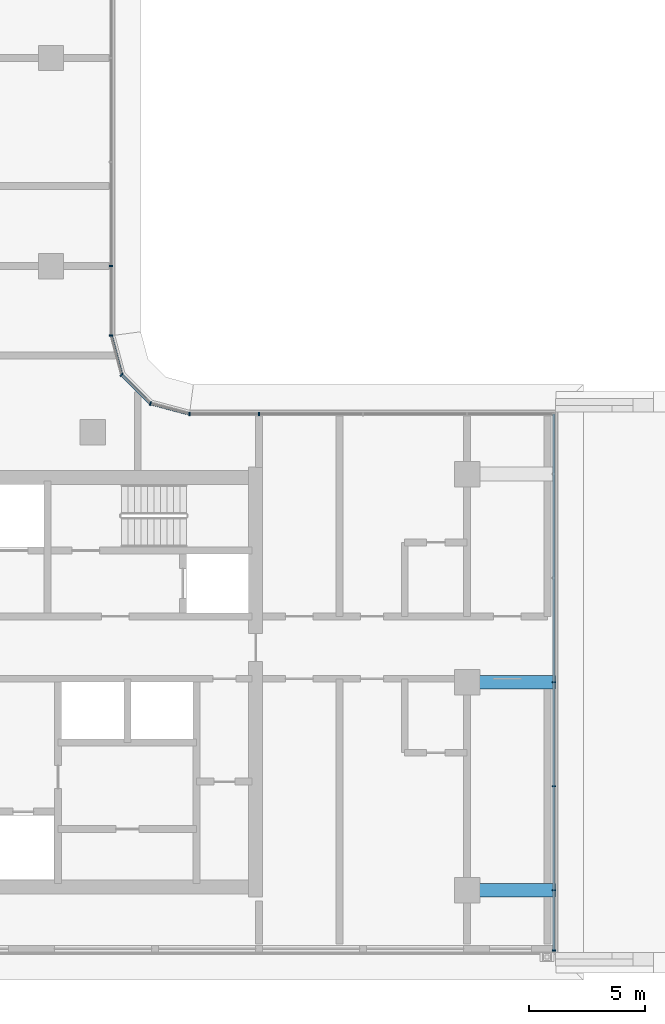
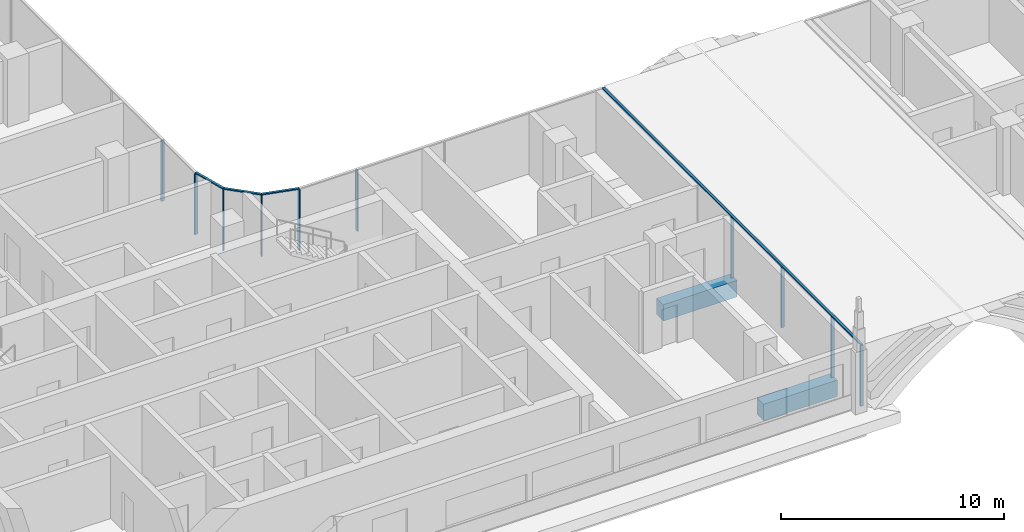
# One storey, part 2 of 23: 14 members, 2 beams, 4 elements without a shape of their own.
"""IFC4 building model written with IfcOpenShell, lengths in metres."""

import ifcopenshell
import ifcopenshell.guid

model = None  # the IFC model being written
_history = None  # IfcOwnerHistory: only IFC2X3 demands one
_inside = {}  # id of a spatial element -> (the spatial element, [elements in it])
_under = {}  # id of a project, library or spatial element -> (it, [spatial elements below it])
_declared = {}  # id of a project -> (the project, [libraries it declares])
_typed = {}  # id of a type object -> (the type object, [elements of that type])
_made_of = {}  # id of a material, layer set ... -> (it, [elements and type objects made of it])


def new_model(schema):
    """Start an empty IFC model of exactly this schema.

    Asked for "IFC4X3", IfcOpenShell would pick the latest addendum, in which some entities
    have other attributes; the version numbers below select the first issue.
    IFC2X3 requires an IfcOwnerHistory on every rooted entity: one is made here for all.
    """
    global model, _history
    if schema == "IFC4X3":
        model = ifcopenshell.file(schema_version=(4, 3, 0, 0))
    else:
        model = ifcopenshell.file(schema=schema)
    _inside.clear()
    _under.clear()
    _declared.clear()
    _typed.clear()
    _made_of.clear()
    _history = None
    if model.schema == "IFC2X3":
        org = make("IfcOrganization", Name="unknown")
        user = make(
            "IfcPersonAndOrganization",
            ThePerson=make("IfcPerson", FamilyName="unknown"),
            TheOrganization=org,
        )
        app = make(
            "IfcApplication",
            ApplicationDeveloper=org,
            Version="unknown",
            ApplicationFullName="unknown",
            ApplicationIdentifier="unknown",
        )
        _history = make(
            "IfcOwnerHistory",
            OwningUser=user,
            OwningApplication=app,
            ChangeAction="ADDED",
            CreationDate=0,
        )
    return model


def make(cls, **values):
    """One entity of the class cls with the attributes given. An attribute that is None is left unset."""
    return model.create_entity(
        cls, **{name: value for name, value in values.items() if value is not None}
    )


def rooted(cls, **values):
    """An entity with a GlobalId (a new one), such as an element, a storey or a relation."""
    return make(cls, GlobalId=ifcopenshell.guid.new(), OwnerHistory=_history, **values)


def si_unit(unit_type, name, prefix=None):
    """IfcSIUnit, for example si_unit("LENGTHUNIT", "METRE", prefix="MILLI")."""
    return make("IfcSIUnit", UnitType=unit_type, Prefix=prefix, Name=name)


def assignment(units):
    """IfcUnitAssignment: the units of a project."""
    return None if units is None else make("IfcUnitAssignment", Units=units)


def point(xyz):
    """IfcCartesianPoint."""
    return None if xyz is None else make("IfcCartesianPoint", Coordinates=xyz)


def direction(xyz):
    """IfcDirection."""
    return None if xyz is None else make("IfcDirection", DirectionRatios=xyz)


def frame(location, z_axis=None, x_axis=None):
    """IfcAxis2Placement3D, a coordinate frame: its origin and axes. An axis left out is left unset."""
    return make(
        "IfcAxis2Placement3D",
        Location=point(location),
        Axis=direction(z_axis),
        RefDirection=direction(x_axis),
    )


def frame_2d(location, x_axis=None):
    """IfcAxis2Placement2D, a coordinate frame in the plane: its origin and x axis."""
    return make(
        "IfcAxis2Placement2D", Location=point(location), RefDirection=direction(x_axis)
    )


def origin():
    """The frame at (0, 0, 0) with its axes left unset."""
    return frame((0.0, 0.0, 0.0))


def origin_2d():
    """The frame at (0, 0) in the plane with its x axis left unset."""
    return frame_2d((0.0, 0.0))


def place(relative_to, where):
    """IfcLocalPlacement: puts the frame where relative to a parent placement (None: the world)."""
    return make(
        "IfcLocalPlacement", PlacementRelTo=relative_to, RelativePlacement=where
    )


def context(
    kind, dimensions, precision=None, world=None, true_north=None, identifier=None
):
    """IfcGeometricRepresentationContext, for example the 3D "Model" context."""
    return make(
        "IfcGeometricRepresentationContext",
        ContextIdentifier=identifier,
        ContextType=kind,
        CoordinateSpaceDimension=dimensions,
        Precision=precision,
        WorldCoordinateSystem=world,
        TrueNorth=true_north,
    )


def subcontext(parent, identifier, kind, view, scale=None):
    """IfcGeometricRepresentationSubContext, for example "Body" below "Model"."""
    return make(
        "IfcGeometricRepresentationSubContext",
        ContextIdentifier=identifier,
        ContextType=kind,
        ParentContext=parent,
        TargetScale=scale,
        TargetView=view,
    )


def project(units=None, contexts=None):
    """IfcProject with its units and contexts."""
    return rooted(
        "IfcProject",
        Name="project",
        RepresentationContexts=contexts,
        UnitsInContext=assignment(units),
    )


def spatial(cls, under=None, at=None, **own):
    """A site, building, storey or space (cls), placed at a placement, below another one or the project."""
    s = rooted(cls, ObjectPlacement=at, **own)
    if under is not None:
        _under.setdefault(under.id(), (under, []))[1].append(s)
    return s


def profile(cls, at=None, kind="AREA", **sizes):
    """A parametric profile (cls). Its sizes go by their IFC names, for example OverallWidth=200.0."""
    return make(cls, ProfileType=kind, Position=at, **sizes)


def rectangle(**sizes):
    """IfcRectangleProfileDef."""
    return profile("IfcRectangleProfileDef", **sizes)


def extrude(swept, where, along, depth):
    """IfcExtrudedAreaSolid: the profile swept, set in the frame where, extruded along a direction by depth."""
    return make(
        "IfcExtrudedAreaSolid",
        SweptArea=swept,
        Position=where,
        ExtrudedDirection=direction(along),
        Depth=depth,
    )


def shape(context_of_items, identifier, shape_type, items):
    """IfcShapeRepresentation: the items that make up one representation, for example the "Body"."""
    return make(
        "IfcShapeRepresentation",
        ContextOfItems=context_of_items,
        RepresentationIdentifier=identifier,
        RepresentationType=shape_type,
        Items=items,
    )


def material(Name=None, Category=None):
    """IfcMaterial."""
    return make("IfcMaterial", Name=Name, Category=Category)


def material_profile(
    of_material, cross_section, Name=None, Category=None, Priority=None
):
    """IfcMaterialProfile: a cross section and its material."""
    return make(
        "IfcMaterialProfile",
        Name=Name,
        Material=of_material,
        Profile=cross_section,
        Priority=Priority,
        Category=Category,
    )


def profile_set(profiles, Name=None, composite=None):
    """IfcMaterialProfileSet."""
    return make(
        "IfcMaterialProfileSet",
        Name=Name,
        MaterialProfiles=profiles,
        CompositeProfile=composite,
    )


def made_of(thing, what):
    """Note that an element or type object is made of a material, layer set ...; save() writes the relation."""
    if what is not None:
        _made_of.setdefault(what.id(), (what, []))[1].append(thing)
    return thing


def type_object(cls, material=None, **own):
    """A type object (cls), such as IfcWallType, which elements share."""
    return made_of(rooted(cls, **own), material)


def element(
    cls,
    number,
    at=None,
    inside=None,
    cuts=None,
    type_object=None,
    material=None,
    context=None,
    identifier="Body",
    shape_type=None,
    held_by="IfcProductDefinitionShape",
    body=None,
    shapes=None,
    **own,
):
    """One element of the class cls, such as IfcWall. Its Tag is "e" and its number.

    at: its placement. inside: the storey or other place that contains it. cuts: it is an
    opening in that element (IfcRelVoidsElement). A single representation is given by context,
    identifier, shape_type and body (its items); several are given by shapes. held_by: the class
    of the entity that holds the representations. save() writes the other relations.
    """
    e = rooted(cls, Tag="e%d" % number, ObjectPlacement=at, **own)
    if body is not None:
        shapes = [shape(context, identifier, shape_type, body)]
    if shapes is not None:
        e.Representation = make(held_by, Representations=shapes)
    if inside is not None:
        _inside.setdefault(inside.id(), (inside, []))[1].append(e)
    if cuts is not None:
        rooted(
            "IfcRelVoidsElement", RelatingBuildingElement=cuts, RelatedOpeningElement=e
        )
    if type_object is not None:
        _typed.setdefault(type_object.id(), (type_object, []))[1].append(e)
    return made_of(e, material)


def aggregate(whole, parts):
    """IfcRelAggregates: a whole, such as a stair, and the parts it consists of."""
    return rooted("IfcRelAggregates", RelatingObject=whole, RelatedObjects=parts)


def save(model, path):
    """Write the relations noted so far, then the file.

    IfcRelAggregates (storeys below a building ...), IfcRelContainedInSpatialStructure (elements
    in a storey), IfcRelDefinesByType, IfcRelAssociatesMaterial and IfcRelDeclares: one each for
    every whole, place, type object, material and project.
    """
    for whole, parts in _under.values():
        aggregate(whole, parts)
    for where, things in _inside.values():
        rooted(
            "IfcRelContainedInSpatialStructure",
            RelatedElements=things,
            RelatingStructure=where,
        )
    for kind, things in _typed.values():
        rooted("IfcRelDefinesByType", RelatedObjects=things, RelatingType=kind)
    for what, things in _made_of.values():
        rooted("IfcRelAssociatesMaterial", RelatedObjects=things, RelatingMaterial=what)
    for by, libraries in _declared.values():
        rooted("IfcRelDeclares", RelatingContext=by, RelatedDefinitions=libraries)
    model.write(path)


model = new_model("IFC4")

# Units and contexts
model_context = context("Model", 3, precision=1e-05, world=origin(), true_north=direction((0.0, 1.0)))
body_context = subcontext(model_context, "Body", "Model", "MODEL_VIEW")
ifc_project = project(units=[si_unit("LENGTHUNIT", "METRE"), si_unit("AREAUNIT", "SQUARE_METRE"), si_unit("VOLUMEUNIT", "CUBIC_METRE"), si_unit("PLANEANGLEUNIT", "RADIAN"), si_unit("MASSUNIT", "GRAM", prefix="KILO")], contexts=[model_context])

# Site, building, storey
site_placement = place(None, origin())
site = spatial("IfcSite", under=ifc_project, at=site_placement, CompositionType="ELEMENT")
building_placement = place(site_placement, origin())
building = spatial("IfcBuilding", under=site, at=building_placement, Name="Ogive Portal Towers", CompositionType="ELEMENT")
storey_placement = place(building_placement, frame((0.0, 0.0, 179.199951171875)))
storey = spatial("IfcBuildingStorey", under=building, at=storey_placement, Name="L44", CompositionType="ELEMENT", Elevation=179.199951171875)

# Beams
ifc_material_1 = material(Name="Concrete C50/60", Category="concrete")
ifc_material_profile_1 = material_profile(ifc_material_1, rectangle(XDim=0.60009765625, YDim=0.89990234375, at=origin_2d()), Name="RC 600x900")
ifc_profile_set_1 = profile_set([ifc_material_profile_1], Name="Concrete C50/60")
beam_type = type_object("IfcBeamType", Name="BEAM RC 600x900", PredefinedType="BEAM", material=ifc_profile_set_1)
for number, where, z_axis, x_axis, name in (
    (1, (67.5, 21.5, -0.449951171875), (1.0, 0.0, 0.0), (0.0, 1.0, 0.0), "Portal edge beam W 21.5"),
    (2, (67.5, 30.5, -0.449951171875), (1.0, 0.0, 0.0), (0.0, 1.0, 0.0), "Portal edge beam W 30.5"),
):
    element("IfcBeam", number, at=place(storey_placement, frame(where, z_axis=z_axis, x_axis=x_axis)), inside=storey, type_object=beam_type, Name=name, PredefinedType="BEAM", context=body_context, shape_type="SweptSolid", body=[
        extrude(rectangle(XDim=0.60009765625, YDim=0.89990234375, at=origin_2d()), origin(), (0.0, 0.0, 1.0), 3.830078125),
    ])

# Curtain wall, members
ifc_material_2 = material(Name="Glass, clear low-iron insulated glazing", Category="glass")
curtain_wall_type = type_object("IfcCurtainWallType", Name="CW FRONT RIBBON 4500", PredefinedType="NOTDEFINED", material=ifc_material_2)
curtain_wall_1_placement = place(storey_placement, origin())
curtain_wall_1 = element("IfcCurtainWall", 3, at=curtain_wall_1_placement, inside=storey, type_object=curtain_wall_type, Name="A:L44:f09:cw0", PredefinedType="NOTDEFINED")
ifc_material_3 = material(Name="Aluminium 6063 anodised", Category="aluminium")
ifc_material_profile_2 = material_profile(ifc_material_3, rectangle(XDim=0.159912109375, YDim=0.06005859375, at=origin_2d()), Name="AL 60x160")
ifc_profile_set_2 = profile_set([ifc_material_profile_2], Name="Aluminium 6063 anodised")
member_type_1 = type_object("IfcMemberType", Name="CW MULLION 60x160", PredefinedType="MULLION", material=ifc_profile_set_2)
member_1_placement = place(storey_placement, frame((71.25, 18.89990234375, 0.0), z_axis=(0.0, 0.0, 1.0), x_axis=(-1.0, 0.0, 0.0)))
member_1 = element("IfcMember", 4, at=member_1_placement, type_object=member_type_1, Name="mullion", PredefinedType="MULLION", context=body_context, shape_type="SweptSolid", body=[
    extrude(rectangle(XDim=0.159912109375, YDim=0.06005859375, at=origin_2d()), origin(), (0.0, 0.0, 1.0), 3.340087890625),
])
member_2_placement = place(storey_placement, frame((71.25, 21.5, 0.0), z_axis=(0.0, 0.0, 1.0), x_axis=(-1.0, 0.0, 0.0)))
member_2 = element("IfcMember", 5, at=member_2_placement, type_object=member_type_1, Name="mullion", PredefinedType="MULLION", context=body_context, shape_type="SweptSolid", body=[
    extrude(rectangle(XDim=0.159912109375, YDim=0.06005859375, at=origin_2d()), origin(), (0.0, 0.0, 1.0), 3.340087890625),
])
member_3_placement = place(storey_placement, frame((71.25, 26.0, 0.0), z_axis=(0.0, 0.0, 1.0), x_axis=(-1.0, 0.0, 0.0)))
member_3 = element("IfcMember", 6, at=member_3_placement, type_object=member_type_1, Name="mullion", PredefinedType="MULLION", context=body_context, shape_type="SweptSolid", body=[
    extrude(rectangle(XDim=0.159912109375, YDim=0.06005859375, at=origin_2d()), origin(), (0.0, 0.0, 1.0), 3.340087890625),
])
member_4_placement = place(storey_placement, frame((71.25, 30.5, 0.0), z_axis=(0.0, 0.0, 1.0), x_axis=(-1.0, 0.0, 0.0)))
member_4 = element("IfcMember", 7, at=member_4_placement, type_object=member_type_1, Name="mullion", PredefinedType="MULLION", context=body_context, shape_type="SweptSolid", body=[
    extrude(rectangle(XDim=0.159912109375, YDim=0.06005859375, at=origin_2d()), origin(), (0.0, 0.0, 1.0), 3.340087890625),
])

curtain_wall_2_placement = place(storey_placement, origin())
curtain_wall_2 = element("IfcCurtainWall", 8, at=curtain_wall_2_placement, inside=storey, type_object=curtain_wall_type, Name="A:L44:f10:cw0", PredefinedType="NOTDEFINED")
member_5_placement = place(storey_placement, frame((58.5, 42.10009765625, 0.0), z_axis=(0.0, 0.0, 1.0), x_axis=(0.0, -1.0, 0.0)))
member_5 = element("IfcMember", 9, at=member_5_placement, type_object=member_type_1, Name="mullion", PredefinedType="MULLION", context=body_context, shape_type="SweptSolid", body=[
    extrude(rectangle(XDim=0.159912109375, YDim=0.06005859375, at=origin_2d()), origin(), (0.0, 0.0, 1.0), 3.340087890625),
])
member_6_placement = place(storey_placement, frame((55.489501953125, 42.10009765625, 0.0), z_axis=(0.0, 0.0, 1.0), x_axis=(0.0, -1.0, 0.0)))
member_6 = element("IfcMember", 10, at=member_6_placement, type_object=member_type_1, Name="mullion", PredefinedType="MULLION", context=body_context, shape_type="SweptSolid", body=[
    extrude(rectangle(XDim=0.159912109375, YDim=0.06005859375, at=origin_2d()), origin(), (0.0, 0.0, 1.0), 3.340087890625),
])
aggregate(curtain_wall_2, [member_5, member_6])

curtain_wall_3_placement = place(storey_placement, origin())
curtain_wall_3 = element("IfcCurtainWall", 11, at=curtain_wall_3_placement, inside=storey, type_object=curtain_wall_type, Name="A:L44:f14:cw0", PredefinedType="NOTDEFINED")
member_7_placement = place(storey_placement, frame((52.10009765625, 45.489501953125, 0.0), z_axis=(0.0, 0.0, 1.0), x_axis=(-1.0, 0.0, 0.0)))
member_7 = element("IfcMember", 12, at=member_7_placement, type_object=member_type_1, Name="mullion", PredefinedType="MULLION", context=body_context, shape_type="SweptSolid", body=[
    extrude(rectangle(XDim=0.159912109375, YDim=0.06005859375, at=origin_2d()), origin(), (0.0, 0.0, 1.0), 3.340087890625),
])
member_8_placement = place(storey_placement, frame((52.10009765625, 48.5, 0.0), z_axis=(0.0, 0.0, 1.0), x_axis=(-1.0, 0.0, 0.0)))
member_8 = element("IfcMember", 13, at=member_8_placement, type_object=member_type_1, Name="mullion", PredefinedType="MULLION", context=body_context, shape_type="SweptSolid", body=[
    extrude(rectangle(XDim=0.159912109375, YDim=0.06005859375, at=origin_2d()), origin(), (0.0, 0.0, 1.0), 3.340087890625),
])
aggregate(curtain_wall_3, [member_7, member_8])

curtain_wall_4_placement = place(storey_placement, origin())
curtain_wall_4 = element("IfcCurtainWall", 14, at=curtain_wall_4_placement, inside=storey, type_object=curtain_wall_type, Name="A:L44:f11:cwa", PredefinedType="NOTDEFINED")
member_9_placement = place(storey_placement, frame((53.798583984375, 42.552978515625, 0.0), z_axis=(0.0, 0.0, 1.0), x_axis=(-0.258819045103, -0.965925826289, 0.0)))
member_9 = element("IfcMember", 15, at=member_9_placement, type_object=member_type_1, Name="mullion", PredefinedType="MULLION", context=body_context, shape_type="SweptSolid", body=[
    extrude(rectangle(XDim=0.159912109375, YDim=0.06005859375, at=origin_2d()), origin(), (0.0, 0.0, 1.0), 3.340087890625),
])
member_10_placement = place(storey_placement, frame((52.552978515625, 43.798583984375, 0.0), z_axis=(0.0, 0.0, 1.0), x_axis=(-0.707106781187, -0.707106781187, 0.0)))
member_10 = element("IfcMember", 16, at=member_10_placement, type_object=member_type_1, Name="mullion", PredefinedType="MULLION", context=body_context, shape_type="SweptSolid", body=[
    extrude(rectangle(XDim=0.159912109375, YDim=0.06005859375, at=origin_2d()), origin(), (0.0, 0.0, 1.0), 3.340087890625),
])

# Member
ifc_material_profile_3 = material_profile(ifc_material_3, rectangle(XDim=0.1201171875, YDim=0.06005859375, at=origin_2d()), Name="AL 120x60")
ifc_profile_set_3 = profile_set([ifc_material_profile_3], Name="Aluminium 6063 anodised")
member_type_2 = type_object("IfcMemberType", Name="CW TRANSOM 60x120", PredefinedType="USERDEFINED", material=ifc_profile_set_3)
member_11_placement = place(storey_placement, frame((71.25, 18.89990234375, 3.3701171875), z_axis=(0.0, 1.0, 0.0), x_axis=(-1.0, 0.0, 0.0)))
member_11 = element("IfcMember", 17, at=member_11_placement, type_object=member_type_2, Name="transom", ObjectType="TRANSOM", PredefinedType="USERDEFINED", context=body_context, shape_type="SweptSolid", body=[
    extrude(rectangle(XDim=0.1201171875, YDim=0.06005859375, at=origin_2d()), origin(), (0.0, 0.0, 1.0), 23.2001953125),
])

aggregate(curtain_wall_1, [member_11, member_1, member_2, member_3, member_4])

member_12_placement = place(storey_placement, frame((55.489501953125, 42.10009765625, 3.3701171875), z_axis=(-0.965954275614, 0.258712847425, 0.0), x_axis=(-0.258712847425, -0.965954275614, 0.0)))
member_12 = element("IfcMember", 18, at=member_12_placement, type_object=member_type_2, Name="transom", ObjectType="TRANSOM", PredefinedType="USERDEFINED", context=body_context, shape_type="SweptSolid", body=[
    extrude(rectangle(XDim=0.1201171875, YDim=0.06005859375, at=origin_2d()), origin(), (0.0, 0.0, 1.0), 1.75048828125),
])

member_13_placement = place(storey_placement, frame((53.798583984375, 42.552978515625, 3.3701171875), z_axis=(-0.707106781187, 0.707106781187, 0.0), x_axis=(-0.707106781187, -0.707106781187, 0.0)))
member_13 = element("IfcMember", 19, at=member_13_placement, type_object=member_type_2, Name="transom", ObjectType="TRANSOM", PredefinedType="USERDEFINED", context=body_context, shape_type="SweptSolid", body=[
    extrude(rectangle(XDim=0.1201171875, YDim=0.06005859375, at=origin_2d()), origin(), (0.0, 0.0, 1.0), 1.761474609375),
])

member_14_placement = place(storey_placement, frame((52.552978515625, 43.798583984375, 3.3701171875), z_axis=(-0.258712847425, 0.965954275614, 0.0), x_axis=(-0.965954275614, -0.258712847425, 0.0)))
member_14 = element("IfcMember", 20, at=member_14_placement, type_object=member_type_2, Name="transom", ObjectType="TRANSOM", PredefinedType="USERDEFINED", context=body_context, shape_type="SweptSolid", body=[
    extrude(rectangle(XDim=0.1201171875, YDim=0.06005859375, at=origin_2d()), origin(), (0.0, 0.0, 1.0), 1.75048828125),
])

aggregate(curtain_wall_4, [member_12, member_13, member_14, member_9, member_10])

save(model, "model.ifc")
